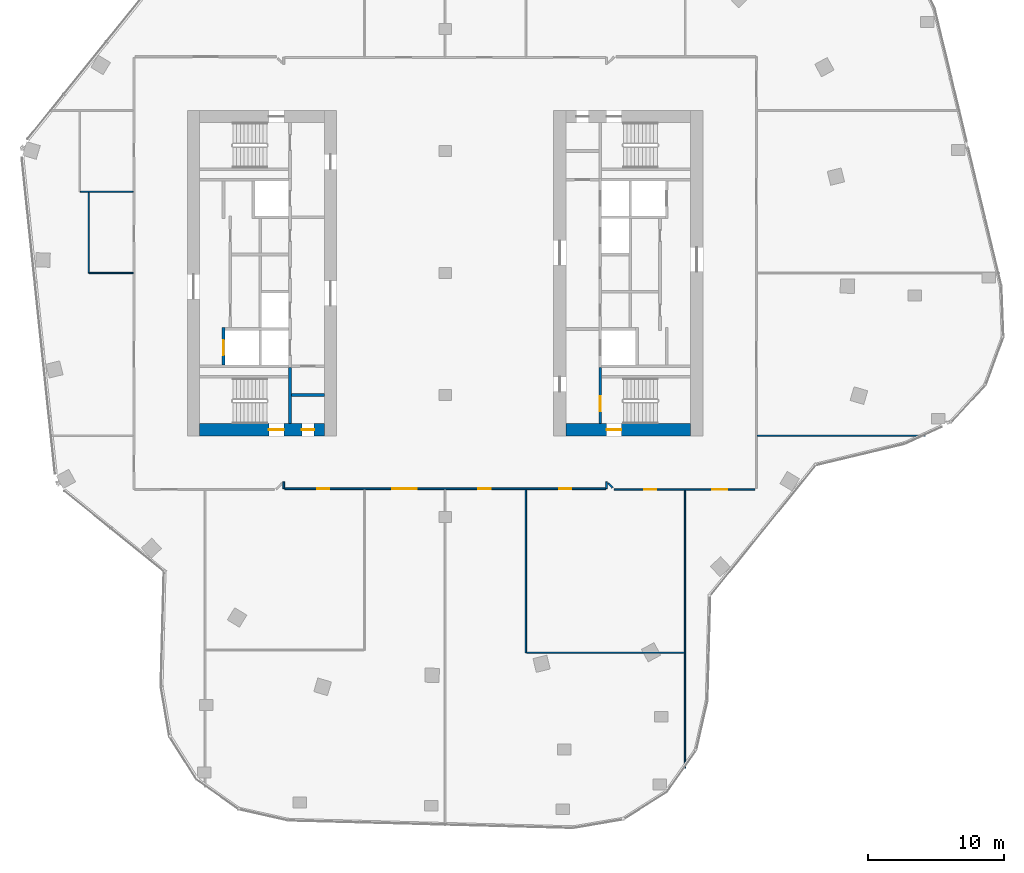
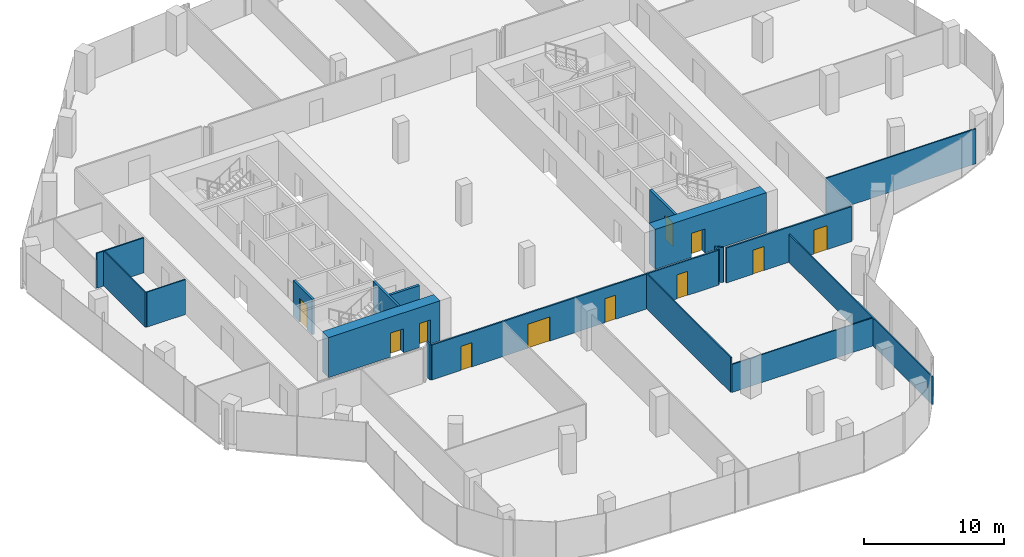
# One storey, part 18 of 23: 18 walls, 11 doors, 11 openings.
"""IFC4 building model written with IfcOpenShell, lengths in metres."""

from ifc_helpers import new_model, si_unit, direction, frame, frame_2d, origin, place, context, subcontext, project, spatial, rectangle, extrude, material, layer, layer_set, type_object, element, fill, save


model = new_model("IFC4")

# Units and contexts
model_context = context("Model", 3, precision=1e-05, world=origin(), true_north=direction((0.0, 1.0)))
body_context = subcontext(model_context, "Body", "Model", "MODEL_VIEW")
ifc_project = project(units=[si_unit("LENGTHUNIT", "METRE"), si_unit("AREAUNIT", "SQUARE_METRE"), si_unit("VOLUMEUNIT", "CUBIC_METRE"), si_unit("PLANEANGLEUNIT", "RADIAN"), si_unit("MASSUNIT", "GRAM", prefix="KILO")], contexts=[model_context])

# Site, building, storey
site_placement = place(None, origin())
site = spatial("IfcSite", under=ifc_project, at=site_placement, CompositionType="ELEMENT")
building_placement = place(site_placement, origin())
building = spatial("IfcBuilding", under=site, at=building_placement, Name="Orlundy Tower", CompositionType="ELEMENT")
storey_placement = place(building_placement, frame((0.0, 0.0, 224.5)))
storey = spatial("IfcBuildingStorey", under=building, at=storey_placement, Name="L59", CompositionType="ELEMENT", Elevation=224.5)

# Wall, openings, doors
ifc_material_1 = material(Name="Concrete C60/75", Category="concrete")
ifc_layer_1 = layer(ifc_material_1, 0.89990234375)
ifc_layer_set_1 = layer_set([ifc_layer_1], Name="CORE WALL 900 C60/75")
wall_type_1 = type_object("IfcWallType", Name="CORE WALL 900 C60/75", PredefinedType="SHEAR", material=ifc_layer_set_1)
wall_1_placement = place(storey_placement, frame((-18.10009765625, -11.550048828125, 0.0), z_axis=(0.0, 0.0, 1.0), x_axis=(1.0, 0.0, 0.0)))
wall_1 = element("IfcWall", 1, at=wall_1_placement, inside=storey, type_object=wall_type_1, Name="Core wall W-S L59", PredefinedType="SHEAR", context=body_context, shape_type="SweptSolid", body=[
    extrude(rectangle(XDim=9.2001953125, YDim=0.89990234375, at=frame_2d((4.60009765625, 0.0))), origin(), (0.0, 0.0, 1.0), 3.5),
])
opening_1_placement = place(wall_1_placement, frame((5.10009765625, 0.0, 0.0)))
opening_1 = element("IfcOpeningElement", 2, at=opening_1_placement, cuts=wall_1, Name="Opening 45013", PredefinedType="OPENING", context=body_context, shape_type="SweptSolid", body=[
    extrude(rectangle(XDim=1.10009765625, YDim=2.10009765625, at=frame_2d((0.550048828125, 1.050048828125))), frame((0.0, 0.4599609375, 0.0), z_axis=(0.0, -1.0, 0.0), x_axis=(1.0, 0.0, 0.0)), (0.0, 0.0, 1.0), 0.919921875),
])
opening_2_placement = place(wall_1_placement, frame((7.530029296875, 0.0, 0.0)))
opening_2 = element("IfcOpeningElement", 3, at=opening_2_placement, cuts=wall_1, Name="Opening 45015", PredefinedType="OPENING", context=body_context, shape_type="SweptSolid", body=[
    extrude(rectangle(XDim=0.89990234375, YDim=2.10009765625, at=frame_2d((0.449951171875, 1.050048828125))), frame((0.0, 0.4599609375, 0.0), z_axis=(0.0, -1.0, 0.0), x_axis=(1.0, 0.0, 0.0)), (0.0, 0.0, 1.0), 0.919921875),
])
ifc_material_2 = material(Name="Timber door set", Category="wood")
door_type_1 = type_object("IfcDoorType", Name="Room Door 900x2100", OperationType="SINGLE_SWING_LEFT", PredefinedType="DOOR", material=ifc_material_2)
door_1_placement = place(opening_2_placement, origin())
door_1 = element("IfcDoor", 4, at=door_1_placement, inside=storey, type_object=door_type_1, Name="Store door 45015", OperationType="SINGLE_SWING_RIGHT", OverallHeight=2.10009765625, OverallWidth=0.89990234375, PredefinedType="DOOR", context=body_context, shape_type="SweptSolid", body=[
    extrude(rectangle(XDim=0.89990234375, YDim=2.10009765625, at=frame_2d((0.449951171875, 1.050048828125))), frame((0.0, 0.02490234375, 0.0), z_axis=(0.0, -1.0, 0.0), x_axis=(1.0, 0.0, 0.0)), (0.0, 0.0, 1.0), 0.050048828125),
])
fill(opening_2, door_1)
ifc_material_3 = material(Name="Steel door set", Category="steel")
door_type_2 = type_object("IfcDoorType", Name="Stair Door 1100x2100", OperationType="SINGLE_SWING_LEFT", PredefinedType="DOOR", material=ifc_material_3)
door_2_placement = place(opening_1_placement, origin())
door_2 = element("IfcDoor", 5, at=door_2_placement, inside=storey, type_object=door_type_2, Name="Stair door 45013", OperationType="SINGLE_SWING_RIGHT", OverallHeight=2.10009765625, OverallWidth=1.10009765625, PredefinedType="DOOR", context=body_context, shape_type="SweptSolid", body=[
    extrude(rectangle(XDim=1.10009765625, YDim=2.10009765625, at=frame_2d((0.550048828125, 1.050048828125))), frame((0.0, 0.02490234375, 0.0), z_axis=(0.0, -1.0, 0.0), x_axis=(1.0, 0.0, 0.0)), (0.0, 0.0, 1.0), 0.050048828125),
])
fill(opening_1, door_2)

# Wall, opening, door
wall_2_placement = place(storey_placement, frame((8.89990234375, -11.550048828125, 0.0), z_axis=(0.0, 0.0, 1.0), x_axis=(1.0, 0.0, 0.0)))
wall_2 = element("IfcWall", 6, at=wall_2_placement, inside=storey, type_object=wall_type_1, Name="Core wall E-S L59", PredefinedType="SHEAR", context=body_context, shape_type="SweptSolid", body=[
    extrude(rectangle(XDim=9.2001953125, YDim=0.89990234375, at=frame_2d((4.60009765625, 0.0))), origin(), (0.0, 0.0, 1.0), 3.5),
])
opening_3_placement = place(wall_2_placement, frame((3.0, 0.0, 0.0)))
opening_3 = element("IfcOpeningElement", 7, at=opening_3_placement, cuts=wall_2, Name="Opening 45061", PredefinedType="OPENING", context=body_context, shape_type="SweptSolid", body=[
    extrude(rectangle(XDim=1.10009765625, YDim=2.10009765625, at=frame_2d((0.550048828125, 1.050048828125))), frame((0.0, 0.4599609375, 0.0), z_axis=(0.0, -1.0, 0.0), x_axis=(1.0, 0.0, 0.0)), (0.0, 0.0, 1.0), 0.919921875),
])
door_3_placement = place(opening_3_placement, origin())
door_3 = element("IfcDoor", 8, at=door_3_placement, inside=storey, type_object=door_type_2, Name="Stair door 45061", OperationType="SINGLE_SWING_LEFT", OverallHeight=2.10009765625, OverallWidth=1.10009765625, PredefinedType="DOOR", context=body_context, shape_type="SweptSolid", body=[
    extrude(rectangle(XDim=1.10009765625, YDim=2.10009765625, at=frame_2d((0.550048828125, 1.050048828125))), frame((0.0, 0.02490234375, 0.0), z_axis=(0.0, -1.0, 0.0), x_axis=(1.0, 0.0, 0.0)), (0.0, 0.0, 1.0), 0.050048828125),
])
fill(opening_3, door_3)

# Walls
ifc_material_4 = material(Name="Gypsum board partition")
ifc_layer_2 = layer(ifc_material_4, 0.10009765625)
ifc_layer_set_2 = layer_set([ifc_layer_2], Name="Floor partition 100")
wall_type_2 = type_object("IfcWallType", Name="Floor partition 100", PredefinedType="PARTITIONING", material=ifc_layer_set_2)
wall_3_placement = place(storey_placement, frame((23.013916015625, -12.0, 0.0), z_axis=(0.0, 0.0, 1.0), x_axis=(1.0, 0.0, 0.0)))
element("IfcWall", 9, at=wall_3_placement, inside=storey, type_object=wall_type_2, Name="wall-int-L59-009", PredefinedType="PARTITIONING", context=body_context, shape_type="SweptSolid", body=[
    extrude(rectangle(XDim=12.385009765625, YDim=0.10009765625, at=frame_2d((6.1923828125, 0.0))), origin(), (0.0, 0.0, 1.0), 3.06005859375),
])
wall_4_placement = place(storey_placement, frame((-26.23095703125, 0.0009765625, 0.0), z_axis=(0.0, 0.0, 1.0), x_axis=(1.0, 0.0, 0.0)))
element("IfcWall", 10, at=wall_4_placement, inside=storey, type_object=wall_type_2, Name="wall-int-L59-010", PredefinedType="PARTITIONING", context=body_context, shape_type="SweptSolid", body=[
    extrude(rectangle(XDim=3.218994140625, YDim=0.10009765625, at=frame_2d((1.609375, 0.0))), origin(), (0.0, 0.0, 1.0), 3.06005859375),
])
wall_5_placement = place(storey_placement, frame((-26.89794921875, 6.0009765625, 0.0), z_axis=(0.0, 0.0, 1.0), x_axis=(1.0, 0.0, 0.0)))
element("IfcWall", 11, at=wall_5_placement, inside=storey, type_object=wall_type_2, Name="wall-int-L59-012", PredefinedType="PARTITIONING", context=body_context, shape_type="SweptSolid", body=[
    extrude(rectangle(XDim=3.885986328125, YDim=0.10009765625, at=frame_2d((1.94287109375, 0.0))), origin(), (0.0, 0.0, 1.0), 3.06005859375),
])
wall_6_placement = place(storey_placement, frame((5.948974609375, -28.0009765625, 0.0), z_axis=(0.0, 0.0, 1.0), x_axis=(0.0, 1.0, 0.0)))
element("IfcWall", 12, at=wall_6_placement, inside=storey, type_object=wall_type_2, Name="wall-int-L59-025", PredefinedType="PARTITIONING", context=body_context, shape_type="SweptSolid", body=[
    extrude(rectangle(XDim=12.0380859375, YDim=0.10009765625, at=frame_2d((6.01904296875, 0.0))), origin(), (0.0, 0.0, 1.0), 3.06005859375),
])
wall_7_placement = place(storey_placement, frame((-26.281982421875, 0.001953125, 0.0), z_axis=(0.0, 0.0, 1.0), x_axis=(0.0, 1.0, 0.0)))
element("IfcWall", 13, at=wall_7_placement, inside=storey, type_object=wall_type_2, Name="wall-int-L59-035", PredefinedType="PARTITIONING", context=body_context, shape_type="SweptSolid", body=[
    extrude(rectangle(XDim=5.948974609375, YDim=0.10009765625, at=frame_2d((2.974609375, 0.0))), origin(), (0.0, 0.0, 1.0), 3.06005859375),
])
ifc_material_5 = material(Name="Gypsum board partition")
ifc_layer_3 = layer(ifc_material_5, 0.10009765625)
ifc_layer_set_3 = layer_set([ifc_layer_3], Name="Floor partition 100 B")
wall_type_3 = type_object("IfcWallType", Name="Floor partition 100 B", PredefinedType="PARTITIONING", material=ifc_layer_set_3)
wall_8_placement = place(storey_placement, frame((5.9990234375, -28.0009765625, 0.0), z_axis=(0.0, 0.0, 1.0), x_axis=(1.0, 0.0, 0.0)))
element("IfcWall", 14, at=wall_8_placement, inside=storey, type_object=wall_type_3, Name="wall-int-L59-003", PredefinedType="PARTITIONING", context=body_context, shape_type="SweptSolid", body=[
    extrude(rectangle(XDim=11.634033203125, YDim=0.10009765625, at=frame_2d((5.81689453125, 0.0))), origin(), (0.0, 0.0, 1.0), 2.448974609375),
])
wall_9_placement = place(storey_placement, frame((17.68310546875, -36.52392578125, 0.0), z_axis=(0.0, 0.0, 1.0), x_axis=(0.0, 1.0, 0.0)))
element("IfcWall", 15, at=wall_9_placement, inside=storey, type_object=wall_type_3, Name="wall-int-L59-022", PredefinedType="PARTITIONING", context=body_context, shape_type="SweptSolid", body=[
    extrude(rectangle(XDim=20.510009765625, YDim=0.10009765625, at=frame_2d((10.2548828125, 0.0))), origin(), (0.0, 0.0, 1.0), 2.448974609375),
])
ifc_material_6 = material(Name="Gypsum board partition, double layer")
ifc_layer_4 = layer(ifc_material_6, 0.125)
ifc_layer_set_4 = layer_set([ifc_layer_4], Name="Floor partition 125")
wall_type_4 = type_object("IfcWallType", Name="Floor partition 125", PredefinedType="PARTITIONING", material=ifc_layer_set_4)
wall_10_placement = place(storey_placement, frame((12.029052734375, -15.507080078125, 0.0), z_axis=(0.0, 0.0, 1.0), x_axis=(0.707106781187, -0.707106781187, 0.0)))
element("IfcWall", 16, at=wall_10_placement, inside=storey, type_object=wall_type_4, Name="wall-int-L59-001", PredefinedType="PARTITIONING", context=body_context, shape_type="SweptSolid", body=[
    extrude(rectangle(XDim=0.4482421875, YDim=0.125, at=frame_2d((0.22412109375, 0.0))), origin(), (0.0, 0.0, 1.0), 3.06005859375),
])

# Wall, openings, doors
wall_11_placement = place(storey_placement, frame((22.844970703125, -15.950927734375, 0.0), z_axis=(0.0, 0.0, 1.0), x_axis=(-1.0, 0.0, 0.0)))
wall_11 = element("IfcWall", 17, at=wall_11_placement, inside=storey, type_object=wall_type_4, Name="wall-int-L59-006", PredefinedType="PARTITIONING", context=body_context, shape_type="SweptSolid", body=[
    extrude(rectangle(XDim=10.385009765625, YDim=0.125, at=frame_2d((5.1923828125, 0.0))), origin(), (0.0, 0.0, 1.0), 3.06005859375),
])
opening_4_placement = place(wall_11_placement, frame((7.261474609375, 0.0, 0.0)))
opening_4 = element("IfcOpeningElement", 18, at=opening_4_placement, cuts=wall_11, Name="Opening 45106", PredefinedType="OPENING", context=body_context, shape_type="SweptSolid", body=[
    extrude(rectangle(XDim=0.89990234375, YDim=2.10009765625, at=frame_2d((0.449951171875, 1.050048828125))), frame((0.0, 0.072509765625, 0.0), z_axis=(0.0, -1.0, 0.0), x_axis=(1.0, 0.0, 0.0)), (0.0, 0.0, 1.0), 0.14501953125),
])
opening_5_placement = place(wall_11_placement, frame((2.03759765625, 0.0, 0.0)))
opening_5 = element("IfcOpeningElement", 19, at=opening_5_placement, cuts=wall_11, Name="Opening 45107", PredefinedType="OPENING", context=body_context, shape_type="SweptSolid", body=[
    extrude(rectangle(XDim=1.10009765625, YDim=2.10009765625, at=frame_2d((0.550048828125, 1.050048828125))), frame((0.0, 0.072509765625, 0.0), z_axis=(0.0, -1.0, 0.0), x_axis=(1.0, 0.0, 0.0)), (0.0, 0.0, 1.0), 0.14501953125),
])
ifc_material_7 = material(Name="Timber door leaf", Category="wood")
door_type_3 = type_object("IfcDoorType", Name="Floor door single 900 FD30S", OperationType="NOTDEFINED", PredefinedType="DOOR", material=ifc_material_7)
door_4_placement = place(opening_4_placement, origin())
door_4 = element("IfcDoor", 20, at=door_4_placement, inside=storey, type_object=door_type_3, Name="Door 45106", OperationType="SINGLE_SWING_RIGHT", OverallHeight=2.10009765625, OverallWidth=0.89990234375, PredefinedType="DOOR", context=body_context, shape_type="SweptSolid", body=[
    extrude(rectangle(XDim=0.89990234375, YDim=2.10009765625, at=frame_2d((0.449951171875, 1.050048828125))), frame((0.0, 0.02490234375, 0.0), z_axis=(0.0, -1.0, 0.0), x_axis=(1.0, 0.0, 0.0)), (0.0, 0.0, 1.0), 0.050048828125),
])
fill(opening_4, door_4)
ifc_material_8 = material(Name="Timber door leaf", Category="wood")
door_type_4 = type_object("IfcDoorType", Name="Floor door xwide 1100 FD30S", OperationType="NOTDEFINED", PredefinedType="DOOR", material=ifc_material_8)
door_5_placement = place(opening_5_placement, origin())
door_5 = element("IfcDoor", 21, at=door_5_placement, inside=storey, type_object=door_type_4, Name="Door 45107", OperationType="SINGLE_SWING_LEFT", OverallHeight=2.10009765625, OverallWidth=1.10009765625, PredefinedType="DOOR", context=body_context, shape_type="SweptSolid", body=[
    extrude(rectangle(XDim=1.10009765625, YDim=2.10009765625, at=frame_2d((0.550048828125, 1.050048828125))), frame((0.0, 0.02490234375, 0.0), z_axis=(0.0, -1.0, 0.0), x_axis=(1.0, 0.0, 0.0)), (0.0, 0.0, 1.0), 0.050048828125),
])
fill(opening_5, door_5)

wall_12_placement = place(storey_placement, frame((11.837890625, -15.90087890625, 0.0), z_axis=(0.0, 0.0, 1.0), x_axis=(-1.0, 0.0, 0.0)))
wall_12 = element("IfcWall", 22, at=wall_12_placement, inside=storey, type_object=wall_type_4, Name="wall-int-L59-007", PredefinedType="PARTITIONING", context=body_context, shape_type="SweptSolid", body=[
    extrude(rectangle(XDim=23.67578125, YDim=0.125, at=frame_2d((11.837890625, 0.0))), origin(), (0.0, 0.0, 1.0), 3.06005859375),
])
opening_6_placement = place(wall_12_placement, frame((20.386474609375, 0.0, 0.0)))
opening_6 = element("IfcOpeningElement", 23, at=opening_6_placement, cuts=wall_12, Name="Opening 45102", PredefinedType="OPENING", context=body_context, shape_type="SweptSolid", body=[
    extrude(rectangle(XDim=0.89990234375, YDim=2.10009765625, at=frame_2d((0.449951171875, 1.050048828125))), frame((0.0, 0.072509765625, 0.0), z_axis=(0.0, -1.0, 0.0), x_axis=(1.0, 0.0, 0.0)), (0.0, 0.0, 1.0), 0.14501953125),
])
opening_7_placement = place(wall_12_placement, frame((13.9375, 0.0, 0.0)))
opening_7 = element("IfcOpeningElement", 24, at=opening_7_placement, cuts=wall_12, Name="Opening 45103", PredefinedType="OPENING", context=body_context, shape_type="SweptSolid", body=[
    extrude(rectangle(XDim=1.800048828125, YDim=2.10009765625, at=frame_2d((0.89990234375, 1.050048828125))), frame((0.0, 0.072509765625, 0.0), z_axis=(0.0, -1.0, 0.0), x_axis=(1.0, 0.0, 0.0)), (0.0, 0.0, 1.0), 0.14501953125),
])
opening_8_placement = place(wall_12_placement, frame((8.488525390625, 0.0, 0.0)))
opening_8 = element("IfcOpeningElement", 25, at=opening_8_placement, cuts=wall_12, Name="Opening 45104", PredefinedType="OPENING", context=body_context, shape_type="SweptSolid", body=[
    extrude(rectangle(XDim=0.89990234375, YDim=2.10009765625, at=frame_2d((0.449951171875, 1.050048828125))), frame((0.0, 0.072509765625, 0.0), z_axis=(0.0, -1.0, 0.0), x_axis=(1.0, 0.0, 0.0)), (0.0, 0.0, 1.0), 0.14501953125),
])
opening_9_placement = place(wall_12_placement, frame((2.53759765625, 0.0, 0.0)))
opening_9 = element("IfcOpeningElement", 26, at=opening_9_placement, cuts=wall_12, Name="Opening 45105", PredefinedType="OPENING", context=body_context, shape_type="SweptSolid", body=[
    extrude(rectangle(XDim=0.89990234375, YDim=2.10009765625, at=frame_2d((0.449951171875, 1.050048828125))), frame((0.0, 0.072509765625, 0.0), z_axis=(0.0, -1.0, 0.0), x_axis=(1.0, 0.0, 0.0)), (0.0, 0.0, 1.0), 0.14501953125),
])
ifc_material_9 = material(Name="Timber door leaf", Category="wood")
door_type_5 = type_object("IfcDoorType", Name="Floor door double 1800 FD30S", OperationType="NOTDEFINED", PredefinedType="DOOR", material=ifc_material_9)
door_6_placement = place(opening_7_placement, origin())
door_6 = element("IfcDoor", 27, at=door_6_placement, inside=storey, type_object=door_type_5, Name="Door 45103", OperationType="DOUBLE_DOOR_SINGLE_SWING", OverallHeight=2.10009765625, OverallWidth=1.800048828125, PredefinedType="DOOR", context=body_context, shape_type="SweptSolid", body=[
    extrude(rectangle(XDim=1.800048828125, YDim=2.10009765625, at=frame_2d((0.89990234375, 1.050048828125))), frame((0.0, 0.02490234375, 0.0), z_axis=(0.0, -1.0, 0.0), x_axis=(1.0, 0.0, 0.0)), (0.0, 0.0, 1.0), 0.050048828125),
])
fill(opening_7, door_6)
door_7_placement = place(opening_6_placement, origin())
door_7 = element("IfcDoor", 28, at=door_7_placement, inside=storey, type_object=door_type_3, Name="Door 45102", OperationType="SINGLE_SWING_RIGHT", OverallHeight=2.10009765625, OverallWidth=0.89990234375, PredefinedType="DOOR", context=body_context, shape_type="SweptSolid", body=[
    extrude(rectangle(XDim=0.89990234375, YDim=2.10009765625, at=frame_2d((0.449951171875, 1.050048828125))), frame((0.0, 0.02490234375, 0.0), z_axis=(0.0, -1.0, 0.0), x_axis=(1.0, 0.0, 0.0)), (0.0, 0.0, 1.0), 0.050048828125),
])
fill(opening_6, door_7)
door_8_placement = place(opening_8_placement, origin())
door_8 = element("IfcDoor", 29, at=door_8_placement, inside=storey, type_object=door_type_3, Name="Door 45104", OperationType="SINGLE_SWING_LEFT", OverallHeight=2.10009765625, OverallWidth=0.89990234375, PredefinedType="DOOR", context=body_context, shape_type="SweptSolid", body=[
    extrude(rectangle(XDim=0.89990234375, YDim=2.10009765625, at=frame_2d((0.449951171875, 1.050048828125))), frame((0.0, 0.02490234375, 0.0), z_axis=(0.0, -1.0, 0.0), x_axis=(1.0, 0.0, 0.0)), (0.0, 0.0, 1.0), 0.050048828125),
])
fill(opening_8, door_8)
door_9_placement = place(opening_9_placement, origin())
door_9 = element("IfcDoor", 30, at=door_9_placement, inside=storey, type_object=door_type_3, Name="Door 45105", OperationType="SINGLE_SWING_LEFT", OverallHeight=2.10009765625, OverallWidth=0.89990234375, PredefinedType="DOOR", context=body_context, shape_type="SweptSolid", body=[
    extrude(rectangle(XDim=0.89990234375, YDim=2.10009765625, at=frame_2d((0.449951171875, 1.050048828125))), frame((0.0, 0.02490234375, 0.0), z_axis=(0.0, -1.0, 0.0), x_axis=(1.0, 0.0, 0.0)), (0.0, 0.0, 1.0), 0.050048828125),
])
fill(opening_9, door_9)

# Walls
for number, where, z_axis, x_axis, name in (
    (31, (11.90087890625, -15.89990234375, 0.0), (0.0, 0.0, 1.0), (0.0, 1.0, 0.0), "wall-int-L59-023"),
    (32, (-11.90087890625, -15.89990234375, 0.0), (0.0, 0.0, 1.0), (0.0, 1.0, 0.0), "wall-int-L59-031"),
):
    element("IfcWall", number, at=place(storey_placement, frame(where, z_axis=z_axis, x_axis=x_axis)), inside=storey, type_object=wall_type_4, Name=name, PredefinedType="PARTITIONING", context=body_context, shape_type="SweptSolid", body=[
        extrude(rectangle(XDim=0.5078125, YDim=0.125, at=frame_2d((0.25390625, 0.0))), origin(), (0.0, 0.0, 1.0), 3.06005859375),
    ])
ifc_material_10 = material(Name="Concrete C40/50", Category="concrete")
ifc_layer_5 = layer(ifc_material_10, 0.199951171875)
ifc_layer_set_5 = layer_set([ifc_layer_5], Name="Load-bearing Shaft Wall 200")
wall_type_5 = type_object("IfcWallType", Name="Load-bearing Shaft Wall 200", PredefinedType="SOLIDWALL", material=ifc_layer_set_5)
wall_13_placement = place(storey_placement, frame((-11.43994140625, -11.10009765625, 0.0), z_axis=(0.0, 0.0, 1.0), x_axis=(0.0, 1.0, 0.0)))
element("IfcWall", 33, at=wall_13_placement, inside=storey, type_object=wall_type_5, Name="Shaft wall W45-stair-end-s", PredefinedType="SOLIDWALL", context=body_context, shape_type="SweptSolid", body=[
    extrude(rectangle(XDim=4.125, YDim=0.199951171875, at=frame_2d((2.0625, 0.0))), origin(), (0.0, 0.0, 1.0), 3.080078125),
])

# Wall, opening, door
wall_14_placement = place(storey_placement, frame((11.43994140625, -6.97509765625, 0.0), z_axis=(0.0, 0.0, 1.0), x_axis=(0.0, -1.0, 0.0)))
wall_14 = element("IfcWall", 34, at=wall_14_placement, inside=storey, type_object=wall_type_5, Name="Shaft wall E45-stair-end-n", PredefinedType="SOLIDWALL", context=body_context, shape_type="SweptSolid", body=[
    extrude(rectangle(XDim=4.125, YDim=0.199951171875, at=frame_2d((2.0625, 0.0))), origin(), (0.0, 0.0, 1.0), 3.080078125),
])
opening_10_placement = place(wall_14_placement, frame((2.10009765625, 0.0, 0.0)))
opening_10 = element("IfcOpeningElement", 35, at=opening_10_placement, cuts=wall_14, Name="Opening 45063", PredefinedType="OPENING", context=body_context, shape_type="SweptSolid", body=[
    extrude(rectangle(XDim=1.10009765625, YDim=2.10009765625, at=frame_2d((0.550048828125, 1.050048828125))), frame((0.0, 0.110107421875, 0.0), z_axis=(0.0, -1.0, 0.0), x_axis=(1.0, 0.0, 0.0)), (0.0, 0.0, 1.0), 0.22021484375),
])
ifc_material_11 = material(Name="Steel door set", Category="steel")
door_type_6 = type_object("IfcDoorType", Name="Fire-fighting Lobby Door 1100x2100", OperationType="SINGLE_SWING_LEFT", PredefinedType="DOOR", material=ifc_material_11)
door_10_placement = place(opening_10_placement, origin())
door_10 = element("IfcDoor", 36, at=door_10_placement, inside=storey, type_object=door_type_6, Name="Fire-fighting lobby to stair door 45063", OperationType="SINGLE_SWING_RIGHT", OverallHeight=2.10009765625, OverallWidth=1.10009765625, PredefinedType="DOOR", context=body_context, shape_type="SweptSolid", body=[
    extrude(rectangle(XDim=1.10009765625, YDim=2.10009765625, at=frame_2d((0.550048828125, 1.050048828125))), frame((0.0, 0.02490234375, 0.0), z_axis=(0.0, -1.0, 0.0), x_axis=(1.0, 0.0, 0.0)), (0.0, 0.0, 1.0), 0.050048828125),
])
fill(opening_10, door_10)

# Wall
ifc_material_12 = material(Name="Gypsum board partition on steel studs", Category="steel")
ifc_layer_6 = layer(ifc_material_12, 0.199951171875)
ifc_layer_set_6 = layer_set([ifc_layer_6], Name="Partition 200")
wall_type_6 = type_object("IfcWallType", Name="Partition 200", PredefinedType="PARTITIONING", material=ifc_layer_set_6)
wall_15_placement = place(storey_placement, frame((-8.89990234375, -9.0, 0.0), z_axis=(0.0, 0.0, 1.0), x_axis=(-1.0, 0.0, 0.0)))
element("IfcWall", 37, at=wall_15_placement, inside=storey, type_object=wall_type_6, Name="Partition wall W45-room-s0", PredefinedType="PARTITIONING", context=body_context, shape_type="SweptSolid", body=[
    extrude(rectangle(XDim=2.440185546875, YDim=0.199951171875, at=frame_2d((1.22021484375, 0.0))), origin(), (0.0, 0.0, 1.0), 3.080078125),
])

# Wall, opening, door
ifc_material_13 = material(Name="Fire-rated blockwork shaft wall", Category="masonry")
ifc_layer_7 = layer(ifc_material_13, 0.199951171875)
ifc_layer_set_7 = layer_set([ifc_layer_7], Name="Shaft Wall 200")
wall_type_7 = type_object("IfcWallType", Name="Shaft Wall 200", PredefinedType="SOLIDWALL", material=ifc_layer_set_7)
wall_16_placement = place(storey_placement, frame((-16.340087890625, -6.77490234375, 0.0), z_axis=(0.0, 0.0, 1.0), x_axis=(0.0, 1.0, 0.0)))
wall_16 = element("IfcWall", 38, at=wall_16_placement, inside=storey, type_object=wall_type_7, Name="Shaft wall W45-front-o-a", PredefinedType="SOLIDWALL", context=body_context, shape_type="SweptSolid", body=[
    extrude(rectangle(XDim=2.75, YDim=0.199951171875, at=frame_2d((1.375, 0.0))), origin(), (0.0, 0.0, 1.0), 3.080078125),
])
opening_11_placement = place(wall_16_placement, frame((0.72509765625, 0.0, 0.0)))
opening_11 = element("IfcOpeningElement", 39, at=opening_11_placement, cuts=wall_16, Name="Opening 45002", PredefinedType="OPENING", context=body_context, shape_type="SweptSolid", body=[
    extrude(rectangle(XDim=1.10009765625, YDim=2.10009765625, at=frame_2d((0.550048828125, 1.050048828125))), frame((0.0, 0.110107421875, 0.0), z_axis=(0.0, -1.0, 0.0), x_axis=(1.0, 0.0, 0.0)), (0.0, 0.0, 1.0), 0.22021484375),
])
ifc_material_14 = material(Name="Steel door set", Category="steel")
door_type_7 = type_object("IfcDoorType", Name="Landing Door 1100x2100", OperationType="DOUBLE_DOOR_SLIDING", PredefinedType="DOOR", material=ifc_material_14)
door_11_placement = place(opening_11_placement, origin())
door_11 = element("IfcDoor", 40, at=door_11_placement, inside=storey, type_object=door_type_7, Name="Lift landing door LV-01 45002", OperationType="DOUBLE_DOOR_SLIDING", OverallHeight=2.10009765625, OverallWidth=1.10009765625, PredefinedType="DOOR", context=body_context, shape_type="SweptSolid", body=[
    extrude(rectangle(XDim=1.10009765625, YDim=2.10009765625, at=frame_2d((0.550048828125, 1.050048828125))), frame((0.0, 0.02490234375, 0.0), z_axis=(0.0, -1.0, 0.0), x_axis=(1.0, 0.0, 0.0)), (0.0, 0.0, 1.0), 0.050048828125),
])
fill(opening_11, door_11)

save(model, "model.ifc")
